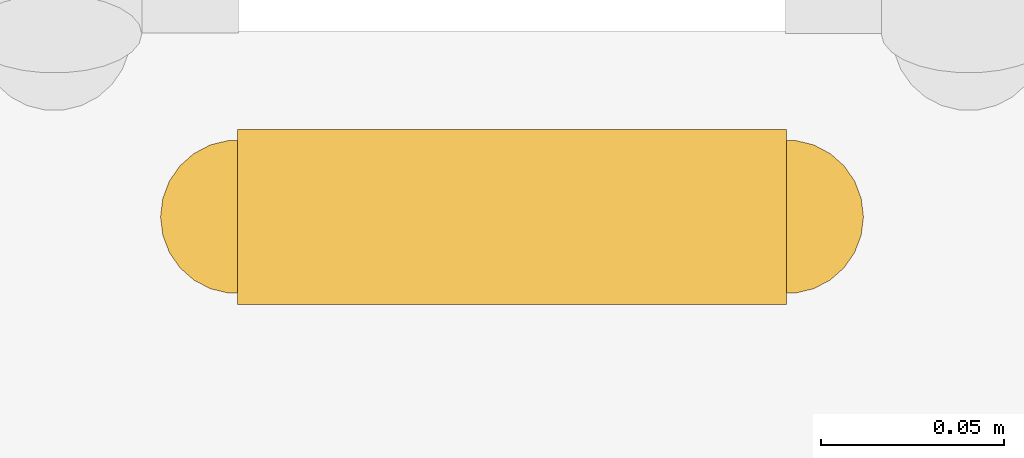
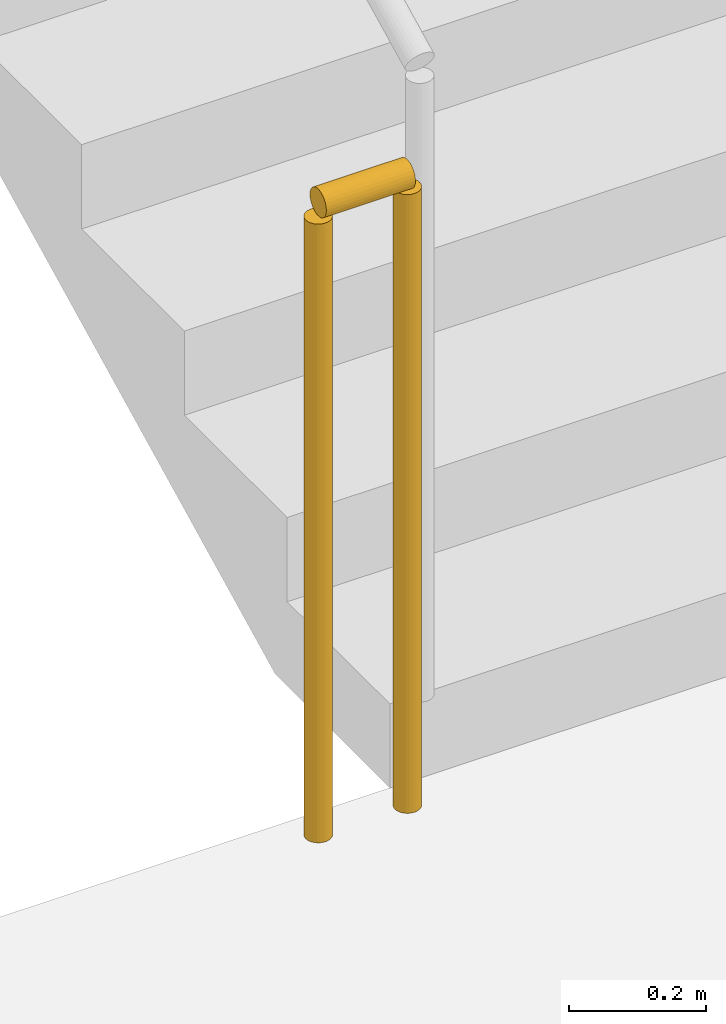
# One storey, part 38 of 42: 1 railing.
"""IFC4 building model written with IfcOpenShell, lengths in metres."""

from ifc_helpers import new_model, si_unit, direction, frame, origin, origin_2d, place, context, subcontext, project, spatial, circle, extrude, material, type_object, element, save


model = new_model("IFC4")

# Units and contexts
model_context = context("Model", 3, precision=1e-05, world=origin(), true_north=direction((0.0, 1.0)))
body_context = subcontext(model_context, "Body", "Model", "MODEL_VIEW")
ifc_project = project(units=[si_unit("LENGTHUNIT", "METRE"), si_unit("AREAUNIT", "SQUARE_METRE"), si_unit("VOLUMEUNIT", "CUBIC_METRE"), si_unit("PLANEANGLEUNIT", "RADIAN"), si_unit("MASSUNIT", "GRAM", prefix="KILO")], contexts=[model_context])

# Site, building, storey
site_placement = place(None, origin())
site = spatial("IfcSite", under=ifc_project, at=site_placement, CompositionType="ELEMENT")
building_placement = place(site_placement, origin())
building = spatial("IfcBuilding", under=site, at=building_placement, Name="Punatoya Terracotta Tower", CompositionType="ELEMENT")
storey_placement = place(building_placement, frame((0.0, 0.0, 296.39990234375)))
storey = spatial("IfcBuildingStorey", under=building, at=storey_placement, Name="L70", CompositionType="ELEMENT", Elevation=296.39990234375)

# Railing
ifc_material = material(Name="Steel S355", Category="steel")
railing_type = type_object("IfcRailingType", Name="RLG-GRD-1150", PredefinedType="GUARDRAIL", material=ifc_material)
railing_placement = place(storey_placement, frame((-7.89990234375, -3.85009765625, 0.0)))
element("IfcRailing", 1, at=railing_placement, inside=storey, type_object=railing_type, Name="L70 ST-1 stair guard 4", PredefinedType="GUARDRAIL", context=body_context, shape_type="SweptSolid", body=[
    extrude(circle(Radius=0.02392578125, at=origin_2d()), frame((0.0, 0.0, 1.1259765625), z_axis=(-1.0, 0.0, 0.0), x_axis=(0.0, -1.0, 0.0)), (0.0, 0.0, 1.0), 0.150146484375),
    extrude(circle(Radius=0.02099609375, at=origin_2d()), origin(), (0.0, 0.0, 1.0), 1.101806640625),
    extrude(circle(Radius=0.02099609375, at=origin_2d()), frame((-0.150146484375, 0.0, 0.0)), (0.0, 0.0, 1.0), 1.101806640625),
])

save(model, "model.ifc")
